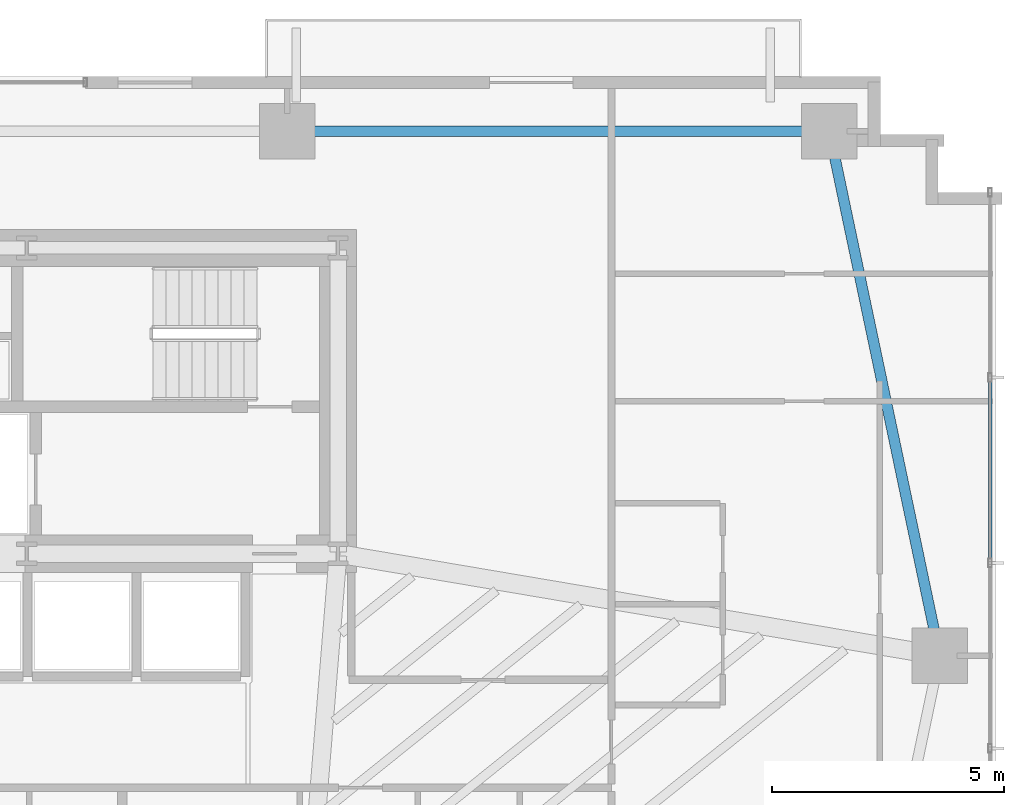
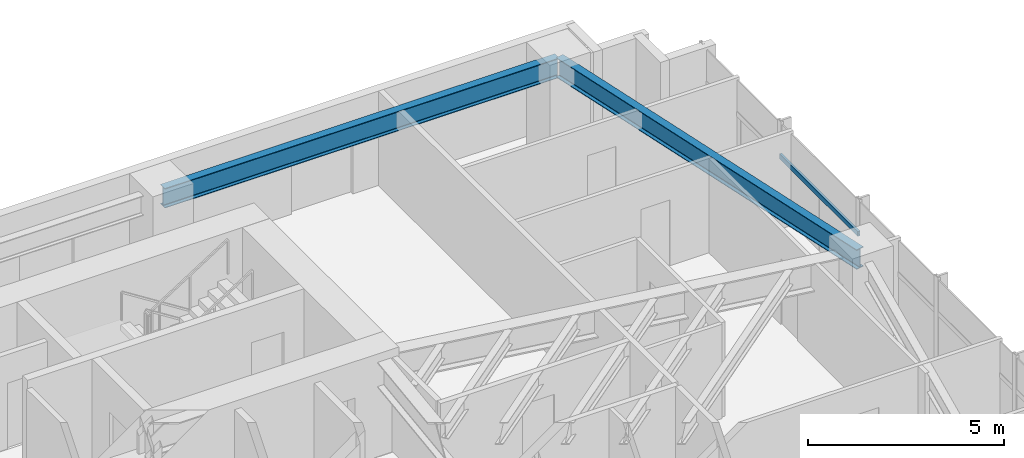
# One storey, part 16 of 25: 2 beams, 1 member, 1 element without a shape of its own.
"""IFC4 building model written with IfcOpenShell, lengths in metres."""

from ifc_helpers import new_model, si_unit, direction, frame, origin, origin_2d, place, context, subcontext, project, spatial, hollow_rectangle, i_section, extrude, source, transform, mapped, material, material_profile, profile_set, type_object, type_shapes, element, aggregate, save


model = new_model("IFC4")

# Units and contexts
model_context = context("Model", 3, precision=1e-05, world=origin(), true_north=direction((0.0, 1.0)))
body_context = subcontext(model_context, "Body", "Model", "MODEL_VIEW")
ifc_project = project(units=[si_unit("LENGTHUNIT", "METRE"), si_unit("AREAUNIT", "SQUARE_METRE"), si_unit("VOLUMEUNIT", "CUBIC_METRE"), si_unit("PLANEANGLEUNIT", "RADIAN"), si_unit("MASSUNIT", "GRAM", prefix="KILO")], contexts=[model_context])

# Site, building, storey
site_placement = place(None, origin())
site = spatial("IfcSite", under=ifc_project, at=site_placement, CompositionType="ELEMENT")
building_placement = place(site_placement, origin())
building = spatial("IfcBuilding", under=site, at=building_placement, Name="Astriad Promenade Condominiums", CompositionType="ELEMENT")
storey_placement = place(building_placement, frame((0.0, 0.0, 55.0)))
storey = spatial("IfcBuildingStorey", under=building, at=storey_placement, Name="L15", CompositionType="ELEMENT", Elevation=55.0)

# Beams
ifc_material_1 = material(Name="Steel ASTM A992 Grade 50", Category="steel")
ifc_material_profile_1 = material_profile(ifc_material_1, i_section(OverallWidth=0.22900390625, OverallDepth=0.612060546875, WebThickness=0.011962890625, FlangeThickness=0.01953125, FilletRadius=0.017822265625, at=origin_2d()), Name="W24X84")
ifc_profile_set_1 = profile_set([ifc_material_profile_1], Name="Steel ASTM A992 Grade 50")
beam_type = type_object("IfcBeamType", Name="STEEL SPANDREL BEAM W24X84", PredefinedType="SPANDREL", material=ifc_profile_set_1)
shared_shape_1 = source(origin(), body_context, "Body", "SweptSolid", [
    extrude(i_section(OverallWidth=0.22900390625, OverallDepth=0.612060546875, WebThickness=0.011962890625, FlangeThickness=0.01953125, FilletRadius=0.017822265625, at=origin_2d()), origin(), (0.0, 0.0, 1.0), 11.619873046875),
])
beam_1_placement = place(storey_placement, frame((56.159912109375, 26.52001953125, 2.6337890625), z_axis=(-1.0, 0.0, 0.0), x_axis=(0.0, -1.0, 0.0)))
element("IfcBeam", 1, at=beam_1_placement, inside=storey, type_object=beam_type, Name="Perimeter Spandrel Beam SP-N4-L15", PredefinedType="SPANDREL", context=body_context, shape_type="MappedRepresentation", body=[
    mapped(shared_shape_1, transform((0.0, 0.0, 0.0), scale=1.0)),
])
shared_shape_2 = source(origin(), body_context, "Body", "SweptSolid", [
    extrude(i_section(OverallWidth=0.22900390625, OverallDepth=0.612060546875, WebThickness=0.011962890625, FlangeThickness=0.01953125, FilletRadius=0.017822265625, at=origin_2d()), origin(), (0.0, 0.0, 1.0), 11.48779296875),
])
type_shapes(beam_type, [shared_shape_1, shared_shape_2])
beam_2_placement = place(storey_placement, frame((58.57177734375, 15.239013671875, 2.6337890625), z_axis=(-0.205743776427, 0.978605895374, 0.0), x_axis=(-0.978605895374, -0.205743776427, 0.0)))
element("IfcBeam", 2, at=beam_2_placement, inside=storey, type_object=beam_type, Name="Perimeter Spandrel Beam SP-E2-L15", PredefinedType="SPANDREL", context=body_context, shape_type="MappedRepresentation", body=[
    mapped(shared_shape_2, transform((0.0, 0.0, 0.0), scale=1.0)),
])

# Curtain wall, member
ifc_material_2 = material(Name="Anodised aluminium Black Dark Glass Unitised", Category="aluminium")
curtain_wall_type = type_object("IfcCurtainWallType", Name="CW-B1-DARK", PredefinedType="USERDEFINED", material=ifc_material_2)
curtain_wall_placement = place(storey_placement, origin())
curtain_wall = element("IfcCurtainWall", 3, at=curtain_wall_placement, inside=storey, type_object=curtain_wall_type, Name="CW-L15-E", ObjectType="UNITISED_CURTAIN_WALL", PredefinedType="USERDEFINED")
ifc_material_3 = material(Name="Anodised aluminium 6063-T6 Black", Category="aluminium")
ifc_material_profile_2 = material_profile(ifc_material_3, hollow_rectangle(XDim=0.074951171875, YDim=0.14990234375, WallThickness=0.004150390625, at=origin_2d()), Name="ALU-TRN-75X150")
ifc_profile_set_2 = profile_set([ifc_material_profile_2], Name="Anodised aluminium 6063-T6 Black")
member_type = type_object("IfcMemberType", Name="TRN-ALU-TRN-75X150", PredefinedType="USERDEFINED", material=ifc_profile_set_2)
shared_shape_3 = source(origin(), body_context, "Body", "SweptSolid", [
    extrude(hollow_rectangle(XDim=0.074951171875, YDim=0.14990234375, WallThickness=0.004150390625, at=origin_2d()), origin(), (0.0, 0.0, 1.0), 4.0),
])
type_shapes(member_type, [shared_shape_3])
member_placement = place(storey_placement, frame((59.669921875, 21.199951171875, 1.82275390625), z_axis=(0.0, -1.0, 0.0), x_axis=(1.0, 0.0, 0.0)))
member = element("IfcMember", 4, at=member_placement, type_object=member_type, Name="CW-L15-E-TRN-01-0", ObjectType="TRANSOM", PredefinedType="USERDEFINED", context=body_context, shape_type="MappedRepresentation", body=[
    mapped(shared_shape_3, transform((0.0, 0.0, 0.0), scale=1.0)),
])
aggregate(curtain_wall, [member])

save(model, "model.ifc")
